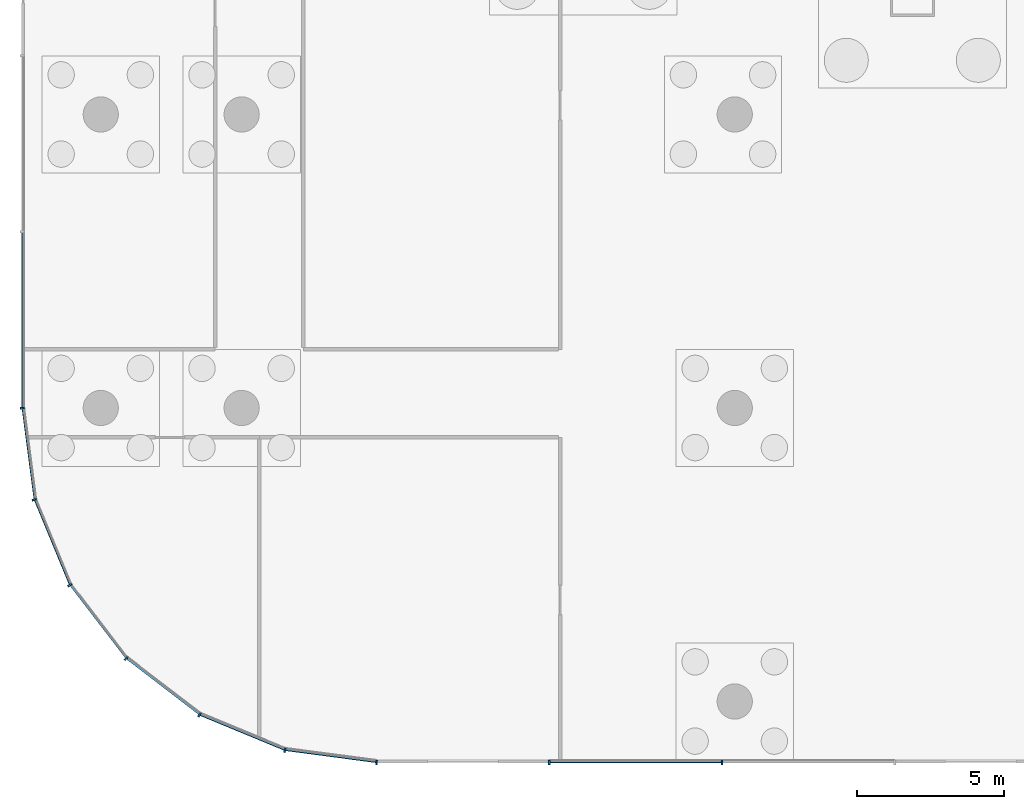
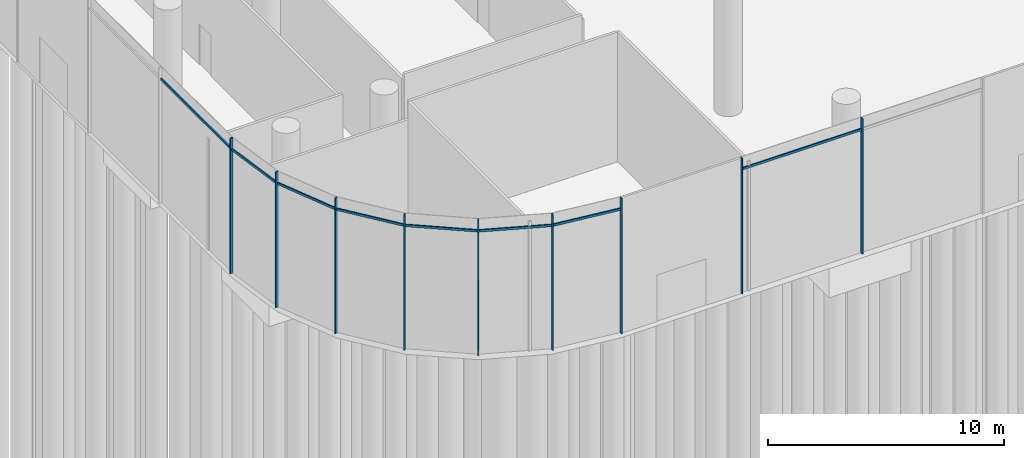
# One storey, part 4 of 41: 17 members, 1 element without a shape of its own.
"""IFC4 building model written with IfcOpenShell, lengths in metres."""

from ifc_helpers import new_model, si_unit, direction, frame, origin, origin_2d, place, context, subcontext, project, spatial, rectangle, extrude, material, material_profile, profile_set, type_object, element, aggregate, save


model = new_model("IFC4")

# Units and contexts
model_context = context("Model", 3, precision=1e-05, world=origin(), true_north=direction((0.0, 1.0)))
body_context = subcontext(model_context, "Body", "Model", "MODEL_VIEW")
ifc_project = project(units=[si_unit("LENGTHUNIT", "METRE"), si_unit("AREAUNIT", "SQUARE_METRE"), si_unit("VOLUMEUNIT", "CUBIC_METRE"), si_unit("PLANEANGLEUNIT", "RADIAN"), si_unit("MASSUNIT", "GRAM", prefix="KILO")], contexts=[model_context])

# Site, building, storey
site_placement = place(None, origin())
site = spatial("IfcSite", under=ifc_project, at=site_placement, CompositionType="ELEMENT")
building_placement = place(site_placement, origin())
building = spatial("IfcBuilding", under=site, at=building_placement, Name="Rimbun Link Towers", CompositionType="ELEMENT")
storey_placement = place(building_placement, origin())
storey = spatial("IfcBuildingStorey", under=building, at=storey_placement, Name="L00", CompositionType="ELEMENT", Elevation=0.0)

# Curtain wall, members
ifc_material_1 = material(Name="Aluminium 6063-T6 and low-iron glass", Category="aluminium")
curtain_wall_type = type_object("IfcCurtainWallType", Name="CW3 podium shopfront", PredefinedType="NOTDEFINED", material=ifc_material_1)
curtain_wall_placement = place(storey_placement, origin())
curtain_wall = element("IfcCurtainWall", 1, at=curtain_wall_placement, inside=storey, type_object=curtain_wall_type, Name="CW3 L00 PD", PredefinedType="NOTDEFINED")
ifc_material_2 = material(Name="Aluminium 6063-T6", Category="aluminium")
ifc_material_profile_1 = material_profile(ifc_material_2, rectangle(XDim=0.14990234375, YDim=0.06005859375, at=origin_2d()), Name="MULLION 60X150")
ifc_profile_set_1 = profile_set([ifc_material_profile_1], Name="Aluminium 6063-T6")
member_type_1 = type_object("IfcMemberType", Name="CW3 mullion 60X150", PredefinedType="MULLION", material=ifc_profile_set_1)
member_1_placement = place(storey_placement, frame((-62.074951171875, -36.0048828125, 0.0), z_axis=(0.0, 0.0, 1.0), x_axis=(-0.997858781723, -0.065405288299, 0.0)))
member_1 = element("IfcMember", 2, at=member_1_placement, type_object=member_type_1, Name="CW3 mullion", PredefinedType="MULLION", context=body_context, shape_type="SweptSolid", body=[
    extrude(rectangle(XDim=0.14990234375, YDim=0.06005859375, at=origin_2d()), origin(), (0.0, 0.0, 1.0), 7.0),
])
member_2_placement = place(storey_placement, frame((-61.66357421875, -39.125244140625, 0.0), z_axis=(0.0, 0.0, 1.0), x_axis=(-0.965925910978, -0.258818729038, 0.0)))
member_2 = element("IfcMember", 3, at=member_2_placement, type_object=member_type_1, Name="CW3 mullion", PredefinedType="MULLION", context=body_context, shape_type="SweptSolid", body=[
    extrude(rectangle(XDim=0.14990234375, YDim=0.06005859375, at=origin_2d()), origin(), (0.0, 0.0, 1.0), 7.0),
])
member_3_placement = place(storey_placement, frame((-60.457275390625, -42.03759765625, 0.0), z_axis=(0.0, 0.0, 1.0), x_axis=(-0.866029040155, -0.499993701568, 0.0)))
member_3 = element("IfcMember", 4, at=member_3_placement, type_object=member_type_1, Name="CW3 mullion", PredefinedType="MULLION", context=body_context, shape_type="SweptSolid", body=[
    extrude(rectangle(XDim=0.14990234375, YDim=0.06005859375, at=origin_2d()), origin(), (0.0, 0.0, 1.0), 7.0),
])
member_4_placement = place(storey_placement, frame((-58.538330078125, -44.538330078125, 0.0), z_axis=(0.0, 0.0, 1.0), x_axis=(-0.707106781187, -0.707106781187, 0.0)))
member_4 = element("IfcMember", 5, at=member_4_placement, type_object=member_type_1, Name="CW3 mullion", PredefinedType="MULLION", context=body_context, shape_type="SweptSolid", body=[
    extrude(rectangle(XDim=0.14990234375, YDim=0.06005859375, at=origin_2d()), origin(), (0.0, 0.0, 1.0), 7.0),
])
member_5_placement = place(storey_placement, frame((-56.03759765625, -46.457275390625, 0.0), z_axis=(0.0, 0.0, 1.0), x_axis=(-0.499993701568, -0.866029040155, 0.0)))
member_5 = element("IfcMember", 6, at=member_5_placement, type_object=member_type_1, Name="CW3 mullion", PredefinedType="MULLION", context=body_context, shape_type="SweptSolid", body=[
    extrude(rectangle(XDim=0.14990234375, YDim=0.06005859375, at=origin_2d()), origin(), (0.0, 0.0, 1.0), 7.0),
])
member_6_placement = place(storey_placement, frame((-53.125244140625, -47.66357421875, 0.0), z_axis=(0.0, 0.0, 1.0), x_axis=(-0.258818729038, -0.965925910978, 0.0)))
member_6 = element("IfcMember", 7, at=member_6_placement, type_object=member_type_1, Name="CW3 mullion", PredefinedType="MULLION", context=body_context, shape_type="SweptSolid", body=[
    extrude(rectangle(XDim=0.14990234375, YDim=0.06005859375, at=origin_2d()), origin(), (0.0, 0.0, 1.0), 7.0),
])
member_7_placement = place(storey_placement, frame((-50.0048828125, -48.074951171875, 0.0), z_axis=(0.0, 0.0, 1.0), x_axis=(-0.065405288299, -0.997858781723, 0.0)))
member_7 = element("IfcMember", 8, at=member_7_placement, type_object=member_type_1, Name="CW3 mullion", PredefinedType="MULLION", context=body_context, shape_type="SweptSolid", body=[
    extrude(rectangle(XDim=0.14990234375, YDim=0.06005859375, at=origin_2d()), origin(), (0.0, 0.0, 1.0), 7.0),
])
member_8_placement = place(storey_placement, frame((-44.11767578125, -48.074951171875, 0.0), z_axis=(0.0, 0.0, 1.0), x_axis=(0.0, -1.0, 0.0)))
member_8 = element("IfcMember", 9, at=member_8_placement, type_object=member_type_1, Name="CW3 mullion", PredefinedType="MULLION", context=body_context, shape_type="SweptSolid", body=[
    extrude(rectangle(XDim=0.14990234375, YDim=0.06005859375, at=origin_2d()), origin(), (0.0, 0.0, 1.0), 7.0),
])
member_9_placement = place(storey_placement, frame((-38.2353515625, -48.074951171875, 0.0), z_axis=(0.0, 0.0, 1.0), x_axis=(0.0, -1.0, 0.0)))
member_9 = element("IfcMember", 10, at=member_9_placement, type_object=member_type_1, Name="CW3 mullion", PredefinedType="MULLION", context=body_context, shape_type="SweptSolid", body=[
    extrude(rectangle(XDim=0.14990234375, YDim=0.06005859375, at=origin_2d()), origin(), (0.0, 0.0, 1.0), 7.0),
])
ifc_material_3 = material(Name="Aluminium 6063-T6", Category="aluminium")
ifc_material_profile_2 = material_profile(ifc_material_3, rectangle(XDim=0.06005859375, YDim=0.1201171875, at=origin_2d()), Name="TRANSOM 60X120")
ifc_profile_set_2 = profile_set([ifc_material_profile_2], Name="Aluminium 6063-T6")
member_type_2 = type_object("IfcMemberType", Name="CW3 transom 60X120", PredefinedType="USERDEFINED", material=ifc_profile_set_2)
member_10_placement = place(storey_placement, frame((-62.053955078125, -35.969970703125, 6.39990234375), z_axis=(0.0, 1.0, 0.0), x_axis=(-1.0, 0.0, 0.0)))
member_10 = element("IfcMember", 11, at=member_10_placement, type_object=member_type_2, Name="CW3 transom", ObjectType="TRANSOM", PredefinedType="USERDEFINED", context=body_context, shape_type="SweptSolid", body=[
    extrude(rectangle(XDim=0.06005859375, YDim=0.1201171875, at=origin_2d()), origin(), (0.0, 0.0, 1.0), 5.93994140625),
])
member_11_placement = place(storey_placement, frame((-61.6484375, -39.0830078125, 6.39990234375), z_axis=(-0.130555231638, 0.991441037829, 0.0), x_axis=(-0.991441037829, -0.130555231638, 0.0)))
member_11 = element("IfcMember", 12, at=member_11_placement, type_object=member_type_2, Name="CW3 transom", ObjectType="TRANSOM", PredefinedType="USERDEFINED", context=body_context, shape_type="SweptSolid", body=[
    extrude(rectangle(XDim=0.06005859375, YDim=0.1201171875, at=origin_2d()), origin(), (0.0, 0.0, 1.0), 3.072509765625),
])
member_12_placement = place(storey_placement, frame((-60.45361328125, -41.992919921875, 6.39990234375), z_axis=(-0.382679289053, 0.923881248716, 0.0), x_axis=(-0.923881248716, -0.382679289053, 0.0)))
member_12 = element("IfcMember", 13, at=member_12_placement, type_object=member_type_2, Name="CW3 transom", ObjectType="TRANSOM", PredefinedType="USERDEFINED", context=body_context, shape_type="SweptSolid", body=[
    extrude(rectangle(XDim=0.06005859375, YDim=0.1201171875, at=origin_2d()), origin(), (0.0, 0.0, 1.0), 3.072509765625),
])
member_13_placement = place(storey_placement, frame((-58.54638671875, -44.494384765625, 6.39990234375), z_axis=(-0.608773432314, 0.793344129687, 0.0), x_axis=(-0.793344129687, -0.608773432314, 0.0)))
member_13 = element("IfcMember", 14, at=member_13_placement, type_object=member_type_2, Name="CW3 transom", ObjectType="TRANSOM", PredefinedType="USERDEFINED", context=body_context, shape_type="SweptSolid", body=[
    extrude(rectangle(XDim=0.06005859375, YDim=0.1201171875, at=origin_2d()), origin(), (0.0, 0.0, 1.0), 3.07275390625),
])
member_14_placement = place(storey_placement, frame((-56.056640625, -46.4169921875, 6.39990234375), z_axis=(-0.793344129687, 0.608773432314, 0.0), x_axis=(-0.608773432314, -0.793344129687, 0.0)))
member_14 = element("IfcMember", 15, at=member_14_placement, type_object=member_type_2, Name="CW3 transom", ObjectType="TRANSOM", PredefinedType="USERDEFINED", context=body_context, shape_type="SweptSolid", body=[
    extrude(rectangle(XDim=0.06005859375, YDim=0.1201171875, at=origin_2d()), origin(), (0.0, 0.0, 1.0), 3.07275390625),
])
member_15_placement = place(storey_placement, frame((-53.154296875, -47.62939453125, 6.39990234375), z_axis=(-0.923881248716, 0.382679289053, 0.0), x_axis=(-0.382679289053, -0.923881248716, 0.0)))
member_15 = element("IfcMember", 16, at=member_15_placement, type_object=member_type_2, Name="CW3 transom", ObjectType="TRANSOM", PredefinedType="USERDEFINED", context=body_context, shape_type="SweptSolid", body=[
    extrude(rectangle(XDim=0.06005859375, YDim=0.1201171875, at=origin_2d()), origin(), (0.0, 0.0, 1.0), 3.072509765625),
])
member_16_placement = place(storey_placement, frame((-50.036865234375, -48.049560546875, 6.39990234375), z_axis=(-0.991441037829, 0.130555231638, 0.0), x_axis=(-0.130555231638, -0.991441037829, 0.0)))
member_16 = element("IfcMember", 17, at=member_16_placement, type_object=member_type_2, Name="CW3 transom", ObjectType="TRANSOM", PredefinedType="USERDEFINED", context=body_context, shape_type="SweptSolid", body=[
    extrude(rectangle(XDim=0.06005859375, YDim=0.1201171875, at=origin_2d()), origin(), (0.0, 0.0, 1.0), 3.072509765625),
])
member_17_placement = place(storey_placement, frame((-38.265380859375, -48.053955078125, 6.39990234375), z_axis=(-1.0, 0.0, 0.0), x_axis=(0.0, -1.0, 0.0)))
member_17 = element("IfcMember", 18, at=member_17_placement, type_object=member_type_2, Name="CW3 transom", ObjectType="TRANSOM", PredefinedType="USERDEFINED", context=body_context, shape_type="SweptSolid", body=[
    extrude(rectangle(XDim=0.06005859375, YDim=0.1201171875, at=origin_2d()), origin(), (0.0, 0.0, 1.0), 5.822265625),
])
aggregate(curtain_wall, [member_1, member_2, member_3, member_4, member_5, member_6, member_7, member_8, member_9, member_10, member_11, member_12, member_13, member_14, member_15, member_16, member_17])

save(model, "model.ifc")
